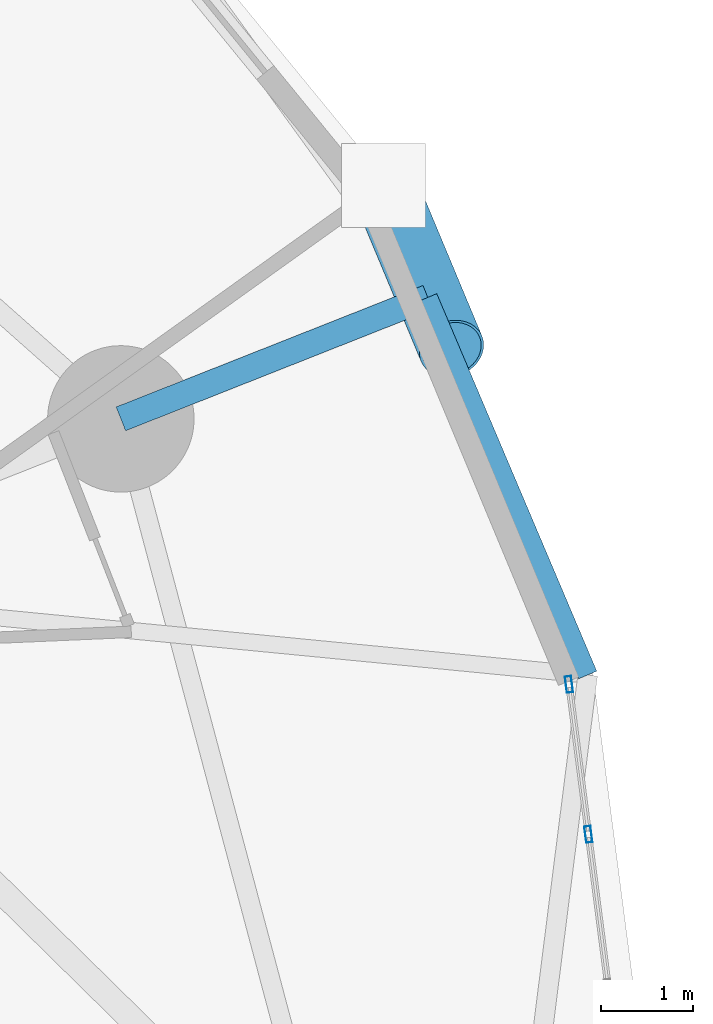
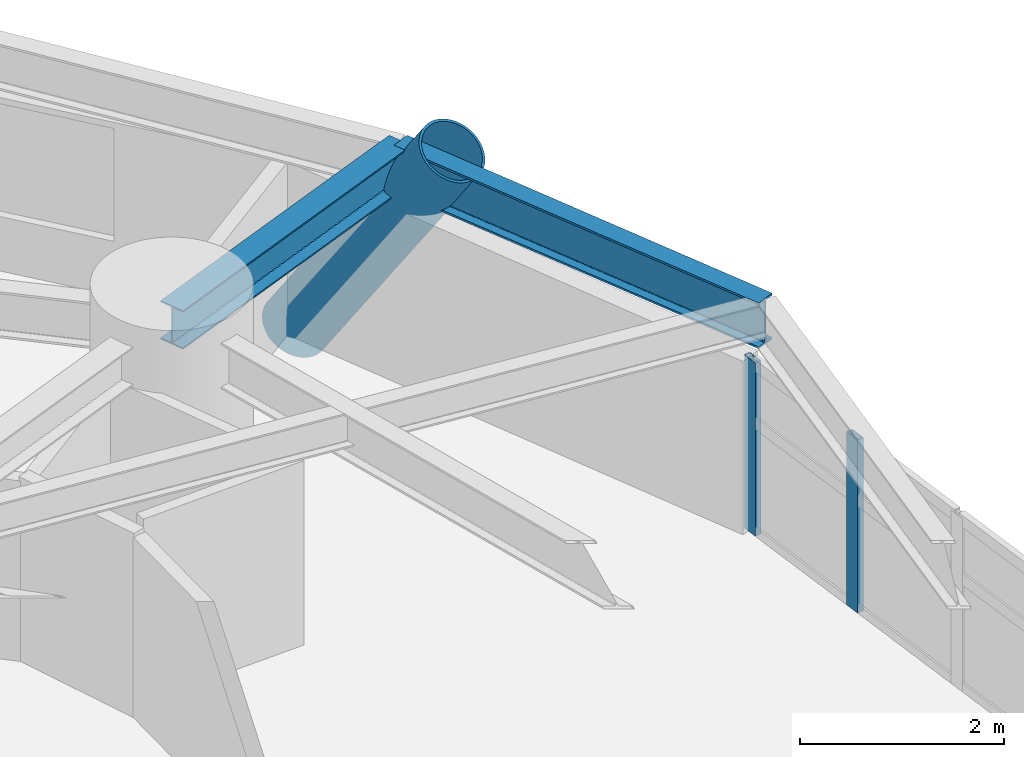
# One storey, part 4 of 19: 3 members, 2 beams, 1 element without a shape of its own.
"""IFC4 building model written with IfcOpenShell, lengths in metres."""

from ifc_helpers import new_model, si_unit, direction, frame, origin, origin_2d, place, context, subcontext, project, spatial, hollow_rectangle, hollow_circle, i_section, extrude, material, layer, layer_set, material_profile, profile_set, type_object, element, aggregate, save


model = new_model("IFC4")

# Units and contexts
model_context = context("Model", 3, precision=1e-05, world=origin(), true_north=direction((0.0, 1.0)))
body_context = subcontext(model_context, "Body", "Model", "MODEL_VIEW")
ifc_project = project(units=[si_unit("LENGTHUNIT", "METRE"), si_unit("AREAUNIT", "SQUARE_METRE"), si_unit("VOLUMEUNIT", "CUBIC_METRE"), si_unit("PLANEANGLEUNIT", "RADIAN"), si_unit("MASSUNIT", "GRAM", prefix="KILO")], contexts=[model_context])

# Site, building, storey
site_placement = place(None, origin())
site = spatial("IfcSite", under=ifc_project, at=site_placement, CompositionType="ELEMENT")
building_placement = place(site_placement, origin())
building = spatial("IfcBuilding", under=site, at=building_placement, Name="Cununo Teusaquillo Station Towers", CompositionType="ELEMENT")
storey_placement = place(building_placement, frame((0.0, 0.0, 30.72998046875)))
storey = spatial("IfcBuildingStorey", under=building, at=storey_placement, Name="L08", CompositionType="ELEMENT", Elevation=30.72998046875)

# Beams
ifc_material_1 = material(Name="Steel ASTM A572 Grade 50", Category="steel")
ifc_material_profile_1 = material_profile(ifc_material_1, i_section(OverallWidth=0.280029296875, OverallDepth=0.462890625, WebThickness=0.0107421875, FlangeThickness=0.017333984375, FilletRadius=0.013916015625, at=origin_2d()), Name="W18X76")
ifc_profile_set_1 = profile_set([ifc_material_profile_1], Name="Steel ASTM A572 Grade 50")
beam_type_1 = type_object("IfcBeamType", Name="BM-RAD-G1", PredefinedType="BEAM", material=ifc_profile_set_1)
beam_1_placement = place(storey_placement, frame((26.347412109375, 33.228515625, 2.41845703125), z_axis=(0.92986596044, 0.367898485476, 0.0), x_axis=(-0.367898485476, 0.92986596044, 0.0)))
element("IfcBeam", 1, at=beam_1_placement, inside=storey, type_object=beam_type_1, Name="L08 Tower A Perimeter Overhang Girder 02B", PredefinedType="BEAM", context=body_context, shape_type="SweptSolid", body=[
    extrude(i_section(OverallWidth=0.280029296875, OverallDepth=0.462890625, WebThickness=0.0107421875, FlangeThickness=0.017333984375, FilletRadius=0.013916015625, at=origin_2d()), origin(), (0.0, 0.0, 1.0), 3.606689453125),
])
ifc_material_2 = material(Name="Steel ASTM A572 Grade 50", Category="steel")
ifc_material_profile_2 = material_profile(ifc_material_2, i_section(OverallWidth=0.214111328125, OverallDepth=0.549072265625, WebThickness=0.0146484375, FlangeThickness=0.023681640625, FilletRadius=0.014892578125, at=origin_2d()), Name="W21X93")
ifc_profile_set_2 = profile_set([ifc_material_profile_2], Name="Steel ASTM A572 Grade 50")
beam_type_2 = type_object("IfcBeamType", Name="BM-RING-Z1", PredefinedType="SPANDREL", material=ifc_profile_set_2)
beam_2_placement = place(storey_placement, frame((31.44970703125, 30.429931640625, 2.37548828125), z_axis=(-0.390233589069, 0.920715887754, 0.0), x_axis=(-0.920715887754, -0.390233589069, 0.0)))
element("IfcBeam", 2, at=beam_2_placement, inside=storey, type_object=beam_type_2, Name="L08 Tower A Spandrel Ring Beam 02", PredefinedType="SPANDREL", context=body_context, shape_type="SweptSolid", body=[
    extrude(i_section(OverallWidth=0.214111328125, OverallDepth=0.549072265625, WebThickness=0.0146484375, FlangeThickness=0.023681640625, FilletRadius=0.014892578125, at=origin_2d()), origin(), (0.0, 0.0, 1.0), 4.480712890625),
])

# Curtain wall, members
ifc_material_3 = material(Name="Ceramic-fritted dark low-E double glazing", Category="glass")
ifc_layer = layer(ifc_material_3, 0.179931640625)
ifc_layer_set = layer_set([ifc_layer], Name="Ceramic-fritted dark low-E double glazing")
curtain_wall_type = type_object("IfcCurtainWallType", Name="CW-SYS-02", PredefinedType="USERDEFINED", material=ifc_layer_set)
curtain_wall_placement = place(storey_placement, origin())
curtain_wall = element("IfcCurtainWall", 3, at=curtain_wall_placement, inside=storey, type_object=curtain_wall_type, Name="L08 Tower A Facade Curtain Wall C00", ObjectType="FRITTED GLAZING", PredefinedType="USERDEFINED")
ifc_material_4 = material(Name="Anodised dark bronze aluminium EN AW-6063-T6", Category="aluminium")
ifc_material_profile_3 = material_profile(ifc_material_4, hollow_rectangle(XDim=0.070068359375, YDim=0.179931640625, WallThickness=0.00390625, at=origin_2d()), Name="CW-MULL-70x180")
ifc_profile_set_3 = profile_set([ifc_material_profile_3], Name="Anodised dark bronze aluminium EN AW-6063-T6")
member_type_1 = type_object("IfcMemberType", Name="CWM-180", PredefinedType="MULLION", material=ifc_profile_set_3)
member_1_placement = place(storey_placement, frame((31.244873046875, 30.327392578125, 0.0), z_axis=(0.0, 0.0, 1.0), x_axis=(0.991730798481, 0.128335588771, 0.0)))
member_1 = element("IfcMember", 4, at=member_1_placement, type_object=member_type_1, Name="CW-02 mullion 1", PredefinedType="MULLION", context=body_context, shape_type="SweptSolid", body=[
    extrude(hollow_rectangle(XDim=0.070068359375, YDim=0.179931640625, WallThickness=0.00390625, at=origin_2d()), origin(), (0.0, 0.0, 1.0), 2.072998046875),
])
member_2_placement = place(storey_placement, frame((31.456787109375, 28.68896484375, 0.0), z_axis=(0.0, 0.0, 1.0), x_axis=(0.991730798481, 0.128335588771, 0.0)))
member_2 = element("IfcMember", 5, at=member_2_placement, type_object=member_type_1, Name="CW-02 mullion 2", PredefinedType="MULLION", context=body_context, shape_type="SweptSolid", body=[
    extrude(hollow_rectangle(XDim=0.070068359375, YDim=0.179931640625, WallThickness=0.00390625, at=origin_2d()), origin(), (0.0, 0.0, 1.0), 2.072998046875),
])
aggregate(curtain_wall, [member_1, member_2])

# Member
ifc_material_5 = material(Name="Steel EN 10025-2 S355J2", Category="steel")
ifc_material_profile_4 = material_profile(ifc_material_5, hollow_circle(Radius=0.360107421875, WallThickness=0.028076171875, at=origin_2d()), Name="CHS 720x28")
ifc_profile_set_4 = profile_set([ifc_material_profile_4], Name="Steel EN 10025-2 S355J2")
member_type_2 = type_object("IfcMemberType", Name="MBR-DIAG-Z1", PredefinedType="BRACE", material=ifc_profile_set_4)
member_3_placement = place(storey_placement, frame((29.216796875, 35.779541015625, -0.139892578125), z_axis=(0.213103546094, -0.510497966767, 0.833053842539), x_axis=(0.922822536657, 0.385225344231, 0.0)))
element("IfcMember", 6, at=member_3_placement, inside=storey, type_object=member_type_2, Name="L08 Tower A Folded-Zigzag Diagrid Tube C01", PredefinedType="BRACE", context=body_context, shape_type="SweptSolid", body=[
    extrude(hollow_circle(Radius=0.360107421875, WallThickness=0.028076171875, at=origin_2d()), origin(), (0.0, 0.0, 1.0), 3.4931640625),
])

save(model, "model.ifc")
